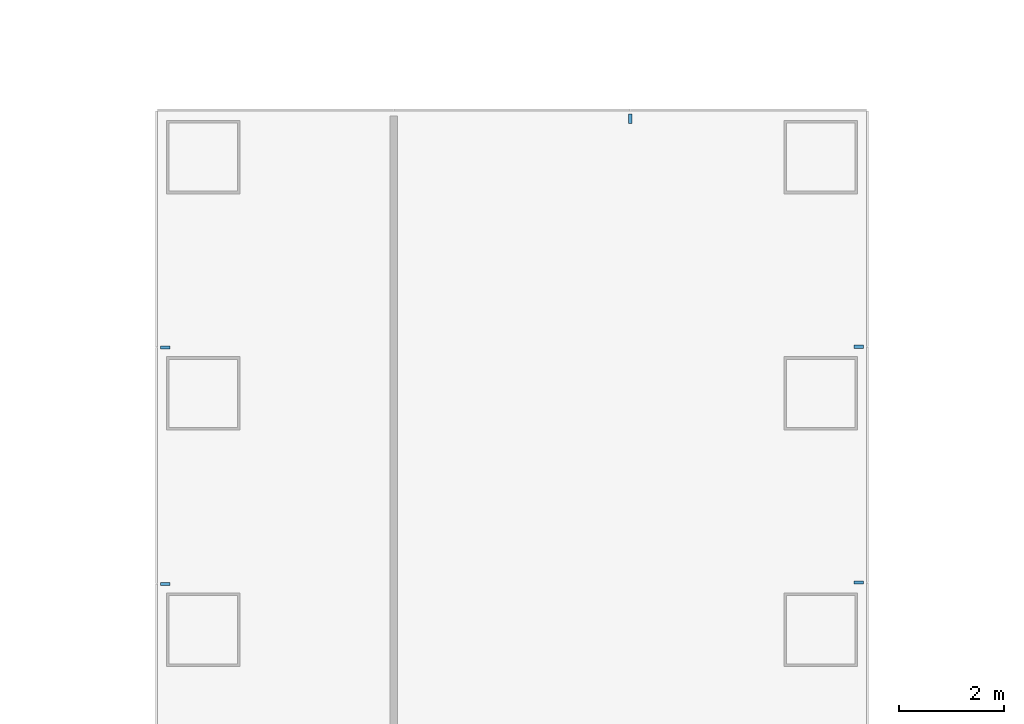
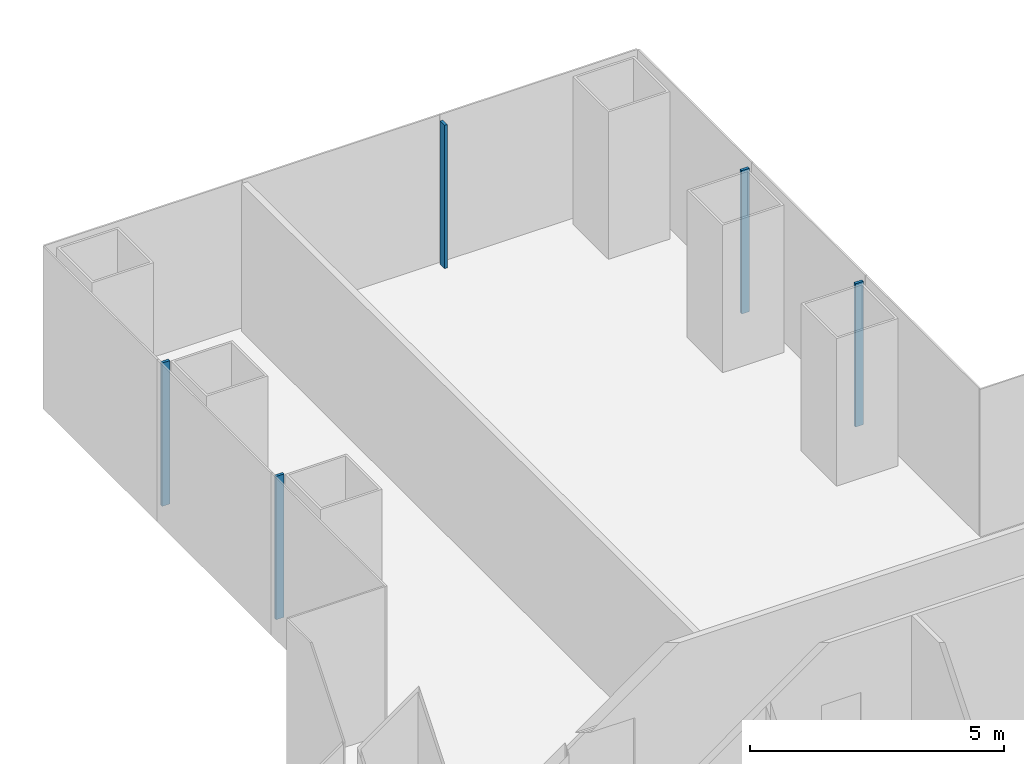
# One storey, part 6 of 22: 5 members, 3 elements without a shape of their own.
"""IFC4 building model written with IfcOpenShell, lengths in metres."""

from ifc_helpers import new_model, si_unit, direction, frame, origin, origin_2d, place, context, subcontext, project, spatial, rectangle, extrude, material, layer, layer_set, material_profile, profile_set, type_object, element, aggregate, save


model = new_model("IFC4")

# Units and contexts
model_context = context("Model", 3, precision=1e-05, world=origin(), true_north=direction((0.0, 1.0)))
body_context = subcontext(model_context, "Body", "Model", "MODEL_VIEW")
ifc_project = project(units=[si_unit("LENGTHUNIT", "METRE"), si_unit("AREAUNIT", "SQUARE_METRE"), si_unit("VOLUMEUNIT", "CUBIC_METRE"), si_unit("PLANEANGLEUNIT", "RADIAN"), si_unit("MASSUNIT", "GRAM", prefix="KILO")], contexts=[model_context])

# Site, building, storey
site_placement = place(None, origin())
site = spatial("IfcSite", under=ifc_project, at=site_placement, CompositionType="ELEMENT")
building_placement = place(site_placement, origin())
building = spatial("IfcBuilding", under=site, at=building_placement, Name="Shamsa Quay Exchange Towers", CompositionType="ELEMENT")
storey_placement = place(building_placement, frame((0.0, 0.0, 69.300048828125)))
storey = spatial("IfcBuildingStorey", under=building, at=storey_placement, Name="L15", CompositionType="ELEMENT", Elevation=69.300048828125)

# Curtain wall, members
ifc_material = material(Name="Aluminium EN AW-6063 T6, black anodised", Category="aluminium")
ifc_layer = layer(ifc_material, 0.280029296875)
ifc_layer_set = layer_set([ifc_layer], Name="CW-1 UNITISED VISION GLASS")
curtain_wall_type = type_object("IfcCurtainWallType", Name="CW-1 UNITISED VISION GLASS", PredefinedType="NOTDEFINED", material=ifc_layer_set)
curtain_wall_1_placement = place(storey_placement, origin())
curtain_wall_1 = element("IfcCurtainWall", 1, at=curtain_wall_1_placement, inside=storey, type_object=curtain_wall_type, Name="CW1 T1-FLK-V+E L15", PredefinedType="NOTDEFINED")
ifc_material_profile = material_profile(ifc_material, rectangle(XDim=0.179931640625, YDim=0.06005859375, at=origin_2d()), Name="MU60x180")
ifc_profile_set = profile_set([ifc_material_profile], Name="Aluminium EN AW-6063 T6, black anodised")
member_type = type_object("IfcMemberType", Name="CW1 MULLION 60x180", PredefinedType="MULLION", material=ifc_profile_set)
member_1_placement = place(storey_placement, frame((-27.14990234375, 15.775390625, 0.0), z_axis=(0.0, 0.0, 1.0), x_axis=(-1.0, 0.0, 0.0)))
member_1 = element("IfcMember", 2, at=member_1_placement, type_object=member_type, Name="CW1 mullion", PredefinedType="MULLION", context=body_context, shape_type="SweptSolid", body=[
    extrude(rectangle(XDim=0.179931640625, YDim=0.06005859375, at=origin_2d()), origin(), (0.0, 0.0, 1.0), 3.449951171875),
])
member_2_placement = place(storey_placement, frame((-27.14990234375, 20.2626953125, 0.0), z_axis=(0.0, 0.0, 1.0), x_axis=(-1.0, 0.0, 0.0)))
member_2 = element("IfcMember", 3, at=member_2_placement, type_object=member_type, Name="CW1 mullion", PredefinedType="MULLION", context=body_context, shape_type="SweptSolid", body=[
    extrude(rectangle(XDim=0.179931640625, YDim=0.06005859375, at=origin_2d()), origin(), (0.0, 0.0, 1.0), 3.449951171875),
])
aggregate(curtain_wall_1, [member_1, member_2])

# Curtain wall, member
curtain_wall_2_placement = place(storey_placement, origin())
curtain_wall_2 = element("IfcCurtainWall", 4, at=curtain_wall_2_placement, inside=storey, type_object=curtain_wall_type, Name="CW1 T1-END-V+ L15", PredefinedType="NOTDEFINED")
member_3_placement = place(storey_placement, frame((-31.5, 24.60009765625, 0.0), z_axis=(0.0, 0.0, 1.0), x_axis=(0.0, -1.0, 0.0)))
member_3 = element("IfcMember", 5, at=member_3_placement, type_object=member_type, Name="CW1 mullion", PredefinedType="MULLION", context=body_context, shape_type="SweptSolid", body=[
    extrude(rectangle(XDim=0.179931640625, YDim=0.06005859375, at=origin_2d()), origin(), (0.0, 0.0, 1.0), 3.449951171875),
])
aggregate(curtain_wall_2, [member_3])

# Curtain wall, members
curtain_wall_3_placement = place(storey_placement, origin())
curtain_wall_3 = element("IfcCurtainWall", 6, at=curtain_wall_3_placement, inside=storey, type_object=curtain_wall_type, Name="CW1 T1-FLK-V+W L15", PredefinedType="NOTDEFINED")
member_4_placement = place(storey_placement, frame((-40.35009765625, 20.25, 0.0)))
member_4 = element("IfcMember", 7, at=member_4_placement, type_object=member_type, Name="CW1 mullion", PredefinedType="MULLION", context=body_context, shape_type="SweptSolid", body=[
    extrude(rectangle(XDim=0.179931640625, YDim=0.06005859375, at=origin_2d()), origin(), (0.0, 0.0, 1.0), 3.449951171875),
])
member_5_placement = place(storey_placement, frame((-40.35009765625, 15.75, 0.0)))
member_5 = element("IfcMember", 8, at=member_5_placement, type_object=member_type, Name="CW1 mullion", PredefinedType="MULLION", context=body_context, shape_type="SweptSolid", body=[
    extrude(rectangle(XDim=0.179931640625, YDim=0.06005859375, at=origin_2d()), origin(), (0.0, 0.0, 1.0), 3.449951171875),
])
aggregate(curtain_wall_3, [member_4, member_5])

save(model, "model.ifc")
